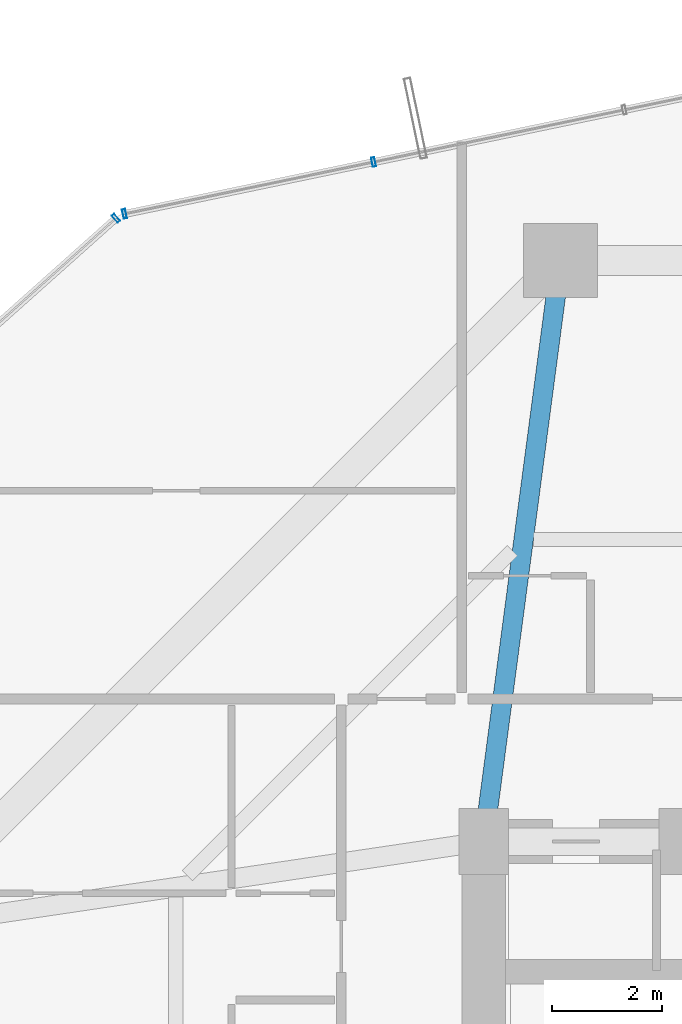
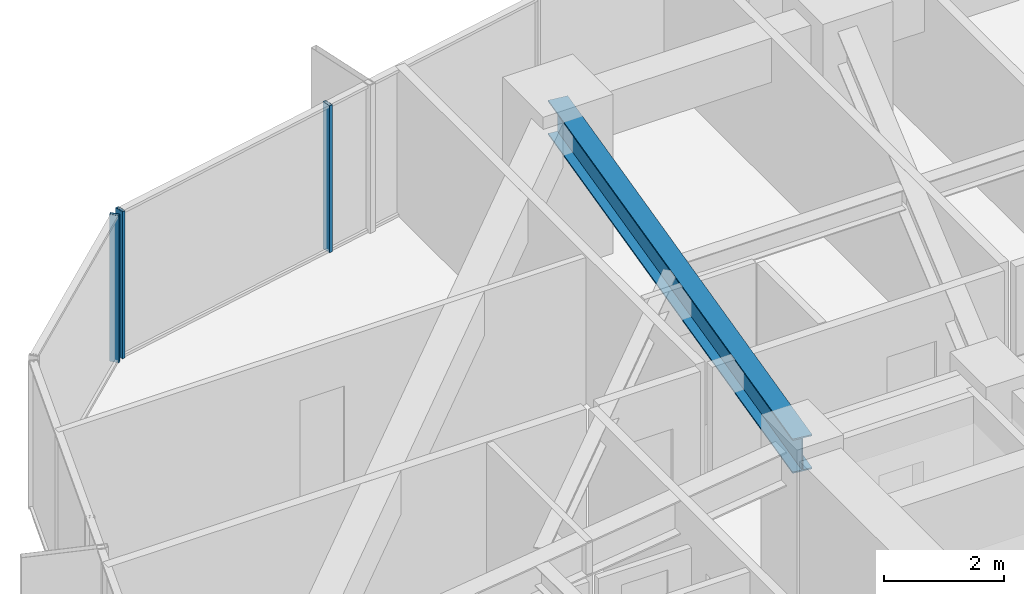
# One storey, part 23 of 38: 3 members, 1 beam, 2 elements without a shape of their own.
"""IFC4 building model written with IfcOpenShell, lengths in metres."""

from ifc_helpers import new_model, si_unit, direction, frame, origin, origin_2d, place, context, subcontext, project, spatial, hollow_rectangle, i_section, extrude, source, transform, mapped, material, layer, layer_set, material_profile, profile_set, type_object, element, aggregate, save


model = new_model("IFC4")

# Units and contexts
model_context = context("Model", 3, precision=1e-05, world=origin(), true_north=direction((0.0, 1.0)))
body_context = subcontext(model_context, "Body", "Model", "MODEL_VIEW")
ifc_project = project(units=[si_unit("LENGTHUNIT", "METRE"), si_unit("AREAUNIT", "SQUARE_METRE"), si_unit("VOLUMEUNIT", "CUBIC_METRE"), si_unit("PLANEANGLEUNIT", "RADIAN"), si_unit("MASSUNIT", "GRAM", prefix="KILO")], contexts=[model_context])

# Site, building, storey
site_placement = place(None, origin())
site = spatial("IfcSite", under=ifc_project, at=site_placement, CompositionType="ELEMENT")
building_placement = place(site_placement, origin())
building = spatial("IfcBuilding", under=site, at=building_placement, Name="Veraguas Prism Commons", CompositionType="ELEMENT")
storey_placement = place(building_placement, frame((0.0, 0.0, 64.10009765625)))
storey = spatial("IfcBuildingStorey", under=building, at=storey_placement, Name="L17", CompositionType="ELEMENT", Elevation=64.10009765625)

# Beam
ifc_material_1 = material(Name="Steel ASTM A992 Grade 50", Category="steel")
ifc_material_profile_1 = material_profile(ifc_material_1, i_section(OverallWidth=0.35595703125, OverallDepth=0.700927734375, WebThickness=0.016845703125, FlangeThickness=0.02734375, at=origin_2d()), Name="W690X240")
ifc_profile_set_1 = profile_set([ifc_material_profile_1], Name="Steel ASTM A992 Grade 50")
beam_type = type_object("IfcBeamType", Name="Zone 1 Radial Girder W690x240", PredefinedType="BEAM", material=ifc_profile_set_1)
beam_placement = place(storey_placement, frame((18.60009765625, 41.60009765625, 2.6494140625), z_axis=(-0.130950648891, -0.991388888154, 0.0), x_axis=(0.991388888154, -0.130950648891, 0.0)))
element("IfcBeam", 1, at=beam_placement, inside=storey, type_object=beam_type, Name="Radial Floor Girder L17-RD06", PredefinedType="BEAM", context=body_context, shape_type="SweptSolid", body=[
    extrude(i_section(OverallWidth=0.35595703125, OverallDepth=0.700927734375, WebThickness=0.016845703125, FlangeThickness=0.02734375, at=origin_2d()), origin(), (0.0, 0.0, 1.0), 10.692138671875),
])

# Curtain wall, members
ifc_material_2 = material(Name="Anodised aluminium EN AW-6063 T6", Category="aluminium")
ifc_layer = layer(ifc_material_2, 0.169921875, Name="Unitised Flush Curtain Wall Zone 1", Category="aluminium")
ifc_layer_set = layer_set([ifc_layer], Name="Anodised aluminium EN AW-6063 T6")
curtain_wall_type = type_object("IfcCurtainWallType", Name="Unitised Flush Curtain Wall Zone 1", PredefinedType="NOTDEFINED", material=ifc_layer_set)
curtain_wall_1_placement = place(storey_placement, origin())
curtain_wall_1 = element("IfcCurtainWall", 2, at=curtain_wall_1_placement, inside=storey, type_object=curtain_wall_type, Name="Tower Facade Curtain Wall L17-F2", PredefinedType="NOTDEFINED")
ifc_material_profile_2 = material_profile(ifc_material_2, hollow_rectangle(XDim=0.06005859375, YDim=0.169921875, WallThickness=0.00390625, at=origin_2d()), Name="AL60X170X4")
ifc_profile_set_2 = profile_set([ifc_material_profile_2], Name="Anodised aluminium EN AW-6063 T6")
member_type = type_object("IfcMemberType", Name="Curtain Wall Mullion Lower AL 60x170x4", PredefinedType="MULLION", material=ifc_profile_set_2)
shared_shape = source(origin(), body_context, "Body", "SweptSolid", [
    extrude(hollow_rectangle(XDim=0.06005859375, YDim=0.169921875, WallThickness=0.00390625, at=origin_2d()), origin(), (0.0, 0.0, 1.0), 3.0),
])
member_1_placement = place(storey_placement, frame((15.19091796875, 43.396240234375, 0.0), z_axis=(0.0, 0.0, 1.0), x_axis=(-0.979008848209, -0.203817749789, 0.0)))
member_1 = element("IfcMember", 3, at=member_1_placement, type_object=member_type, Name="CW-Z1 Mullion 4", PredefinedType="MULLION", context=body_context, shape_type="MappedRepresentation", body=[
    mapped(shared_shape, transform((0.0, 0.0, 0.0), scale=1.0)),
])
member_2_placement = place(storey_placement, frame((10.6474609375, 42.450439453125, 0.0), z_axis=(0.0, 0.0, 1.0), x_axis=(-0.979008848209, -0.203817749789, 0.0)))
member_2 = element("IfcMember", 4, at=member_2_placement, type_object=member_type, Name="CW-Z1 Mullion 5", PredefinedType="MULLION", context=body_context, shape_type="MappedRepresentation", body=[
    mapped(shared_shape, transform((0.0, 0.0, 0.0), scale=1.0)),
])
aggregate(curtain_wall_1, [member_1, member_2])

# Curtain wall, member
curtain_wall_2_placement = place(storey_placement, origin())
curtain_wall_2 = element("IfcCurtainWall", 5, at=curtain_wall_2_placement, inside=storey, type_object=curtain_wall_type, Name="Chamfer Curtain Wall L17-C3", PredefinedType="NOTDEFINED")
member_3_placement = place(storey_placement, frame((10.4921875, 42.3720703125, 0.0), z_axis=(0.0, 0.0, 1.0), x_axis=(-0.745953931797, -0.66599754627, 0.0)))
member_3 = element("IfcMember", 6, at=member_3_placement, type_object=member_type, Name="CW-Z1 Mullion 1", PredefinedType="MULLION", context=body_context, shape_type="MappedRepresentation", body=[
    mapped(shared_shape, transform((0.0, 0.0, 0.0), scale=1.0)),
])
aggregate(curtain_wall_2, [member_3])

save(model, "model.ifc")
